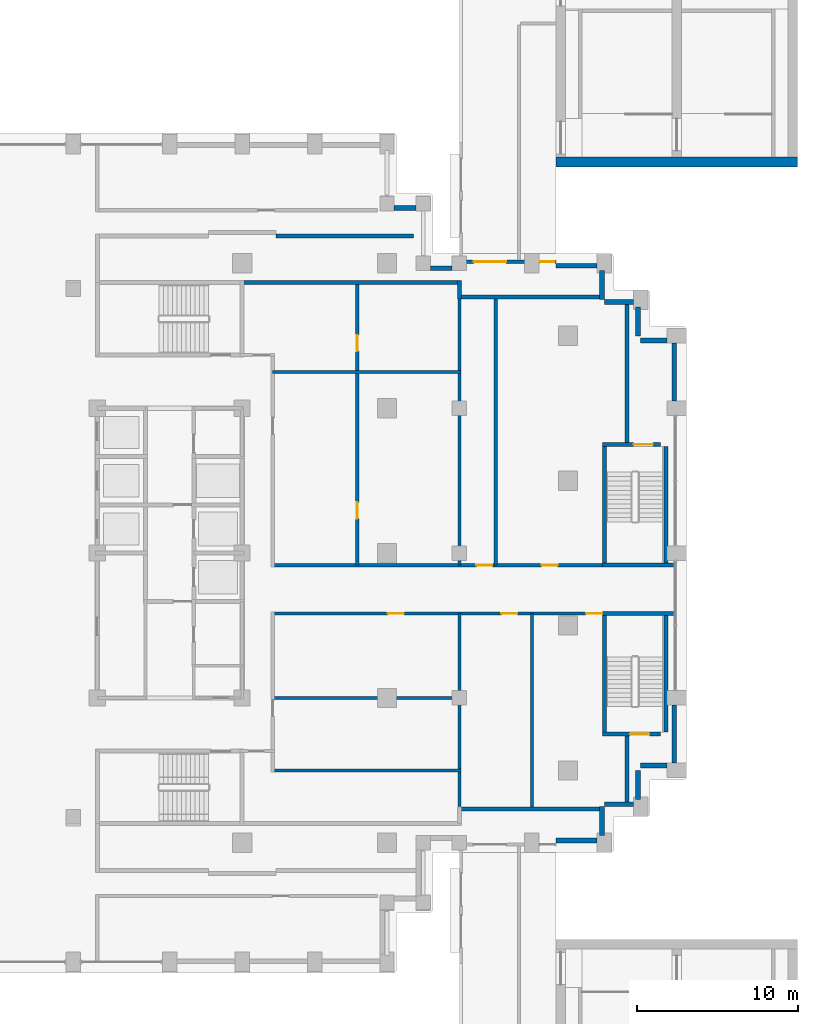
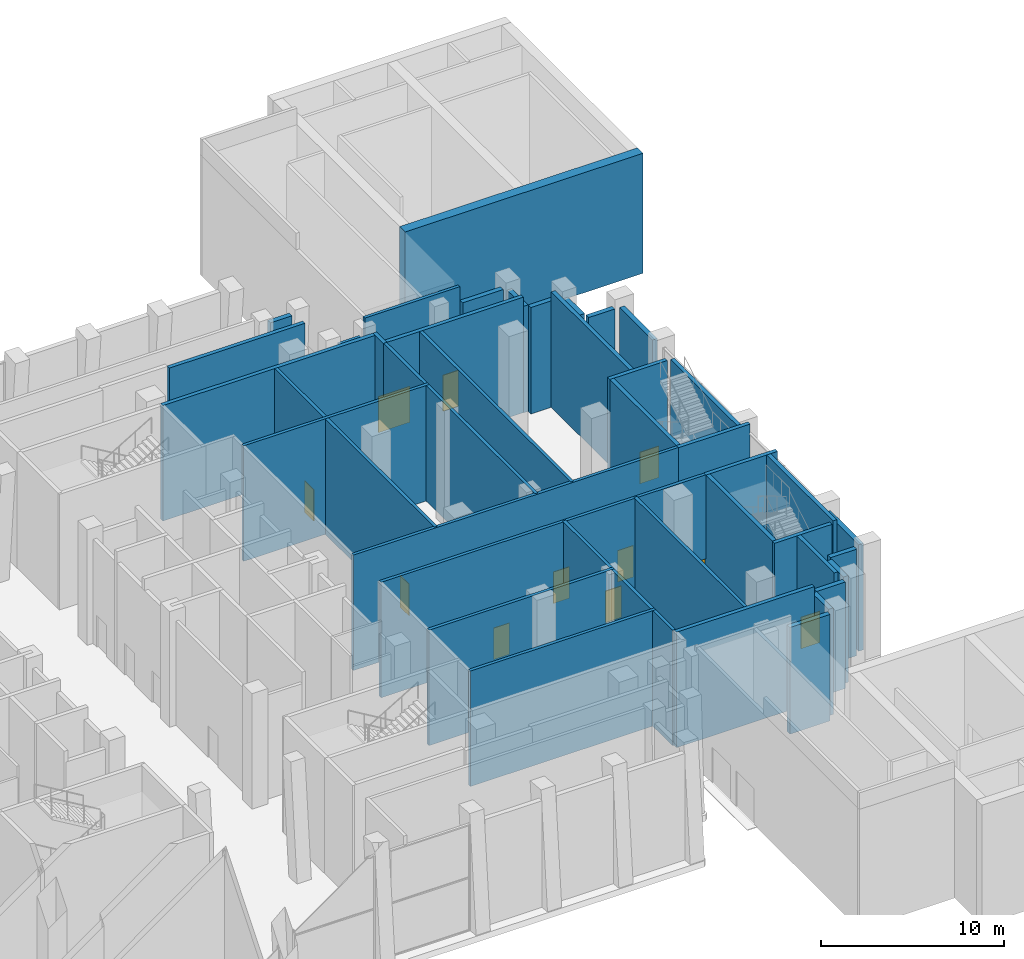
# One storey, part 15 of 24: 41 walls, 11 doors, 11 openings.
"""IFC4 building model written with IfcOpenShell, lengths in metres."""

import ifcopenshell
import ifcopenshell.guid

model = None  # the IFC model being written
_history = None  # IfcOwnerHistory: only IFC2X3 demands one
_inside = {}  # id of a spatial element -> (the spatial element, [elements in it])
_under = {}  # id of a project, library or spatial element -> (it, [spatial elements below it])
_declared = {}  # id of a project -> (the project, [libraries it declares])
_typed = {}  # id of a type object -> (the type object, [elements of that type])
_made_of = {}  # id of a material, layer set ... -> (it, [elements and type objects made of it])


def new_model(schema):
    """Start an empty IFC model of exactly this schema.

    Asked for "IFC4X3", IfcOpenShell would pick the latest addendum, in which some entities
    have other attributes; the version numbers below select the first issue.
    IFC2X3 requires an IfcOwnerHistory on every rooted entity: one is made here for all.
    """
    global model, _history
    if schema == "IFC4X3":
        model = ifcopenshell.file(schema_version=(4, 3, 0, 0))
    else:
        model = ifcopenshell.file(schema=schema)
    _inside.clear()
    _under.clear()
    _declared.clear()
    _typed.clear()
    _made_of.clear()
    _history = None
    if model.schema == "IFC2X3":
        org = make("IfcOrganization", Name="unknown")
        user = make(
            "IfcPersonAndOrganization",
            ThePerson=make("IfcPerson", FamilyName="unknown"),
            TheOrganization=org,
        )
        app = make(
            "IfcApplication",
            ApplicationDeveloper=org,
            Version="unknown",
            ApplicationFullName="unknown",
            ApplicationIdentifier="unknown",
        )
        _history = make(
            "IfcOwnerHistory",
            OwningUser=user,
            OwningApplication=app,
            ChangeAction="ADDED",
            CreationDate=0,
        )
    return model


def make(cls, **values):
    """One entity of the class cls with the attributes given. An attribute that is None is left unset."""
    return model.create_entity(
        cls, **{name: value for name, value in values.items() if value is not None}
    )


def rooted(cls, **values):
    """An entity with a GlobalId (a new one), such as an element, a storey or a relation."""
    return make(cls, GlobalId=ifcopenshell.guid.new(), OwnerHistory=_history, **values)


def si_unit(unit_type, name, prefix=None):
    """IfcSIUnit, for example si_unit("LENGTHUNIT", "METRE", prefix="MILLI")."""
    return make("IfcSIUnit", UnitType=unit_type, Prefix=prefix, Name=name)


def assignment(units):
    """IfcUnitAssignment: the units of a project."""
    return None if units is None else make("IfcUnitAssignment", Units=units)


def point(xyz):
    """IfcCartesianPoint."""
    return None if xyz is None else make("IfcCartesianPoint", Coordinates=xyz)


def direction(xyz):
    """IfcDirection."""
    return None if xyz is None else make("IfcDirection", DirectionRatios=xyz)


def frame(location, z_axis=None, x_axis=None):
    """IfcAxis2Placement3D, a coordinate frame: its origin and axes. An axis left out is left unset."""
    return make(
        "IfcAxis2Placement3D",
        Location=point(location),
        Axis=direction(z_axis),
        RefDirection=direction(x_axis),
    )


def frame_2d(location, x_axis=None):
    """IfcAxis2Placement2D, a coordinate frame in the plane: its origin and x axis."""
    return make(
        "IfcAxis2Placement2D", Location=point(location), RefDirection=direction(x_axis)
    )


def origin():
    """The frame at (0, 0, 0) with its axes left unset."""
    return frame((0.0, 0.0, 0.0))


def place(relative_to, where):
    """IfcLocalPlacement: puts the frame where relative to a parent placement (None: the world)."""
    return make(
        "IfcLocalPlacement", PlacementRelTo=relative_to, RelativePlacement=where
    )


def context(
    kind, dimensions, precision=None, world=None, true_north=None, identifier=None
):
    """IfcGeometricRepresentationContext, for example the 3D "Model" context."""
    return make(
        "IfcGeometricRepresentationContext",
        ContextIdentifier=identifier,
        ContextType=kind,
        CoordinateSpaceDimension=dimensions,
        Precision=precision,
        WorldCoordinateSystem=world,
        TrueNorth=true_north,
    )


def subcontext(parent, identifier, kind, view, scale=None):
    """IfcGeometricRepresentationSubContext, for example "Body" below "Model"."""
    return make(
        "IfcGeometricRepresentationSubContext",
        ContextIdentifier=identifier,
        ContextType=kind,
        ParentContext=parent,
        TargetScale=scale,
        TargetView=view,
    )


def project(units=None, contexts=None):
    """IfcProject with its units and contexts."""
    return rooted(
        "IfcProject",
        Name="project",
        RepresentationContexts=contexts,
        UnitsInContext=assignment(units),
    )


def spatial(cls, under=None, at=None, **own):
    """A site, building, storey or space (cls), placed at a placement, below another one or the project."""
    s = rooted(cls, ObjectPlacement=at, **own)
    if under is not None:
        _under.setdefault(under.id(), (under, []))[1].append(s)
    return s


def profile(cls, at=None, kind="AREA", **sizes):
    """A parametric profile (cls). Its sizes go by their IFC names, for example OverallWidth=200.0."""
    return make(cls, ProfileType=kind, Position=at, **sizes)


def rectangle(**sizes):
    """IfcRectangleProfileDef."""
    return profile("IfcRectangleProfileDef", **sizes)


def extrude(swept, where, along, depth):
    """IfcExtrudedAreaSolid: the profile swept, set in the frame where, extruded along a direction by depth."""
    return make(
        "IfcExtrudedAreaSolid",
        SweptArea=swept,
        Position=where,
        ExtrudedDirection=direction(along),
        Depth=depth,
    )


def shape(context_of_items, identifier, shape_type, items):
    """IfcShapeRepresentation: the items that make up one representation, for example the "Body"."""
    return make(
        "IfcShapeRepresentation",
        ContextOfItems=context_of_items,
        RepresentationIdentifier=identifier,
        RepresentationType=shape_type,
        Items=items,
    )


def material(Name=None, Category=None):
    """IfcMaterial."""
    return make("IfcMaterial", Name=Name, Category=Category)


def layer(
    of_material, thickness, ventilated=None, Name=None, Category=None, Priority=None
):
    """IfcMaterialLayer: one layer of a wall or slab, of a material (None: an air gap)."""
    return make(
        "IfcMaterialLayer",
        Material=of_material,
        LayerThickness=thickness,
        IsVentilated=ventilated,
        Name=Name,
        Category=Category,
        Priority=Priority,
    )


def layer_set(layers, Name=None):
    """IfcMaterialLayerSet."""
    return make("IfcMaterialLayerSet", MaterialLayers=layers, LayerSetName=Name)


def made_of(thing, what):
    """Note that an element or type object is made of a material, layer set ...; save() writes the relation."""
    if what is not None:
        _made_of.setdefault(what.id(), (what, []))[1].append(thing)
    return thing


def type_object(cls, material=None, **own):
    """A type object (cls), such as IfcWallType, which elements share."""
    return made_of(rooted(cls, **own), material)


def element(
    cls,
    number,
    at=None,
    inside=None,
    cuts=None,
    type_object=None,
    material=None,
    context=None,
    identifier="Body",
    shape_type=None,
    held_by="IfcProductDefinitionShape",
    body=None,
    shapes=None,
    **own,
):
    """One element of the class cls, such as IfcWall. Its Tag is "e" and its number.

    at: its placement. inside: the storey or other place that contains it. cuts: it is an
    opening in that element (IfcRelVoidsElement). A single representation is given by context,
    identifier, shape_type and body (its items); several are given by shapes. held_by: the class
    of the entity that holds the representations. save() writes the other relations.
    """
    e = rooted(cls, Tag="e%d" % number, ObjectPlacement=at, **own)
    if body is not None:
        shapes = [shape(context, identifier, shape_type, body)]
    if shapes is not None:
        e.Representation = make(held_by, Representations=shapes)
    if inside is not None:
        _inside.setdefault(inside.id(), (inside, []))[1].append(e)
    if cuts is not None:
        rooted(
            "IfcRelVoidsElement", RelatingBuildingElement=cuts, RelatedOpeningElement=e
        )
    if type_object is not None:
        _typed.setdefault(type_object.id(), (type_object, []))[1].append(e)
    return made_of(e, material)


def fill(opening, filler):
    """IfcRelFillsElement: the door or window that sits in an opening."""
    return rooted(
        "IfcRelFillsElement",
        RelatingOpeningElement=opening,
        RelatedBuildingElement=filler,
    )


def aggregate(whole, parts):
    """IfcRelAggregates: a whole, such as a stair, and the parts it consists of."""
    return rooted("IfcRelAggregates", RelatingObject=whole, RelatedObjects=parts)


def save(model, path):
    """Write the relations noted so far, then the file.

    IfcRelAggregates (storeys below a building ...), IfcRelContainedInSpatialStructure (elements
    in a storey), IfcRelDefinesByType, IfcRelAssociatesMaterial and IfcRelDeclares: one each for
    every whole, place, type object, material and project.
    """
    for whole, parts in _under.values():
        aggregate(whole, parts)
    for where, things in _inside.values():
        rooted(
            "IfcRelContainedInSpatialStructure",
            RelatedElements=things,
            RelatingStructure=where,
        )
    for kind, things in _typed.values():
        rooted("IfcRelDefinesByType", RelatedObjects=things, RelatingType=kind)
    for what, things in _made_of.values():
        rooted("IfcRelAssociatesMaterial", RelatedObjects=things, RelatingMaterial=what)
    for by, libraries in _declared.values():
        rooted("IfcRelDeclares", RelatingContext=by, RelatedDefinitions=libraries)
    model.write(path)


model = new_model("IFC4")

# Units and contexts
model_context = context("Model", 3, precision=1e-05, world=origin(), true_north=direction((0.0, 1.0)))
body_context = subcontext(model_context, "Body", "Model", "MODEL_VIEW")
ifc_project = project(units=[si_unit("LENGTHUNIT", "METRE"), si_unit("AREAUNIT", "SQUARE_METRE"), si_unit("VOLUMEUNIT", "CUBIC_METRE"), si_unit("PLANEANGLEUNIT", "RADIAN"), si_unit("MASSUNIT", "GRAM", prefix="KILO")], contexts=[model_context])

# Site, building, storey
site_placement = place(None, origin())
site = spatial("IfcSite", under=ifc_project, at=site_placement, CompositionType="ELEMENT")
building_placement = place(site_placement, origin())
building = spatial("IfcBuilding", under=site, at=building_placement, Name="Corbelhall Arena Tower", CompositionType="ELEMENT")
storey_placement = place(building_placement, frame((0.0, 0.0, 60.0)))
storey = spatial("IfcBuildingStorey", under=building, at=storey_placement, Name="L08", CompositionType="ELEMENT", Elevation=60.0)

# Wall
ifc_material_1 = material(Name="Concrete C80/95", Category="concrete")
ifc_layer_1 = layer(ifc_material_1, 0.60009765625)
ifc_layer_set_1 = layer_set([ifc_layer_1], Name="AR-CORE-WALL-L08")
wall_type_1 = type_object("IfcWallType", Name="AR-CORE-WALL-L08", PredefinedType="SHEAR", material=ifc_layer_set_1)
wall_1_placement = place(storey_placement, frame((33.0, 24.300048828125, 0.0), z_axis=(0.0, 0.0, 1.0), x_axis=(1.0, 0.0, 0.0)))
element("IfcWall", 1, at=wall_1_placement, inside=storey, type_object=wall_type_1, Name="Core NE wall", PredefinedType="SHEAR", context=body_context, shape_type="SweptSolid", body=[
    extrude(rectangle(XDim=15.0, YDim=0.60009765625, at=frame_2d((7.5, 0.0))), origin(), (0.0, 0.0, 1.0), 8.0),
])

# Wall, openings, doors
ifc_material_2 = material(Name="Reinforced concrete C40/50", Category="concrete")
ifc_layer_2 = layer(ifc_material_2, 0.199951171875)
ifc_layer_set_2 = layer_set([ifc_layer_2], Name="AR-LINK-WALL")
wall_type_2 = type_object("IfcWallType", Name="AR-LINK-WALL", PredefinedType="SOLIDWALL", material=ifc_layer_set_2)
wall_2_placement = place(storey_placement, frame((27.0, 18.10009765625, 0.0), z_axis=(0.0, 0.0, 1.0), x_axis=(1.0, 0.0, 0.0)))
wall_2 = element("IfcWall", 2, at=wall_2_placement, inside=storey, type_object=wall_type_2, Name="Gallery LK1 end wall", PredefinedType="SOLIDWALL", context=body_context, shape_type="SweptSolid", body=[
    extrude(rectangle(XDim=6.0, YDim=0.199951171875, at=frame_2d((3.0, 0.0))), origin(), (0.0, 0.0, 1.0), 8.0),
])
opening_1_placement = place(wall_2_placement, frame((0.89990234375, 0.0, 0.0)))
opening_1 = element("IfcOpeningElement", 3, at=opening_1_placement, cuts=wall_2, Name="Opening DA0293", PredefinedType="OPENING", context=body_context, shape_type="SweptSolid", body=[
    extrude(rectangle(XDim=2.0, YDim=2.39990234375, at=frame_2d((1.0, 1.199951171875))), frame((0.0, 0.10009765625, 0.0), z_axis=(0.0, -1.0, 0.0), x_axis=(1.0, 0.0, 0.0)), (0.0, 0.0, 1.0), 0.199951171875),
])
opening_2_placement = place(wall_2_placement, frame((4.97998046875, 0.0, 0.0)))
opening_2 = element("IfcOpeningElement", 4, at=opening_2_placement, cuts=wall_2, Name="Opening DA0294", PredefinedType="OPENING", context=body_context, shape_type="SweptSolid", body=[
    extrude(rectangle(XDim=0.949951171875, YDim=2.39990234375, at=frame_2d((0.47509765625, 1.199951171875))), frame((0.0, 0.10009765625, 0.0), z_axis=(0.0, -1.0, 0.0), x_axis=(1.0, 0.0, 0.0)), (0.0, 0.0, 1.0), 0.199951171875),
])
ifc_material_3 = material(Name="Steel and glass", Category="steel")
door_type_1 = type_object("IfcDoorType", Name="AR-EXIT-DOOR", OperationType="DOUBLE_DOOR_SINGLE_SWING", PredefinedType="DOOR", material=ifc_material_3)
door_1_placement = place(opening_1_placement, frame((2.0, 0.0, 0.0), z_axis=(0.0, 0.0, 1.0), x_axis=(-1.0, 0.0, 0.0)))
door_1 = element("IfcDoor", 5, at=door_1_placement, inside=storey, type_object=door_type_1, Name="Gallery LK1 public door", OperationType="DOUBLE_DOOR_SINGLE_SWING", OverallHeight=2.39990234375, OverallWidth=2.0, PredefinedType="DOOR", context=body_context, shape_type="SweptSolid", body=[
    extrude(rectangle(XDim=2.0, YDim=2.39990234375, at=frame_2d((1.0, 1.199951171875))), frame((0.0, 0.02490234375, 0.0), z_axis=(0.0, -1.0, 0.0), x_axis=(1.0, 0.0, 0.0)), (0.0, 0.0, 1.0), 0.050048828125),
])
fill(opening_1, door_1)
ifc_material_4 = material(Name="Steel door set", Category="steel")
door_type_2 = type_object("IfcDoorType", Name="AR-EXIT-DOOR-1", OperationType="SINGLE_SWING_LEFT", PredefinedType="DOOR", material=ifc_material_4)
door_2_placement = place(opening_2_placement, frame((0.949951171875, 0.0, 0.0), z_axis=(0.0, 0.0, 1.0), x_axis=(-1.0, 0.0, 0.0)))
door_2 = element("IfcDoor", 6, at=door_2_placement, inside=storey, type_object=door_type_2, Name="Gallery LK1 exit door", OperationType="SINGLE_SWING_LEFT", OverallHeight=2.39990234375, OverallWidth=0.949951171875, PredefinedType="DOOR", context=body_context, shape_type="SweptSolid", body=[
    extrude(rectangle(XDim=0.949951171875, YDim=2.39990234375, at=frame_2d((0.47509765625, 1.199951171875))), frame((0.0, 0.02490234375, 0.0), z_axis=(0.0, -1.0, 0.0), x_axis=(1.0, 0.0, 0.0)), (0.0, 0.0, 1.0), 0.050048828125),
])
fill(opening_2, door_2)

# Walls
ifc_material_5 = material(Name="Precast concrete C40/50 with granite facing", Category="masonry")
ifc_layer_3 = layer(ifc_material_5, 0.300048828125)
ifc_layer_set_3 = layer_set([ifc_layer_3], Name="EV-IW1 Infill panel 300")
wall_type_3 = type_object("IfcWallType", Name="EV-IW1 Infill panel 300", PredefinedType="SOLIDWALL", material=ifc_layer_set_3)
for number, where, z_axis, x_axis, name in (
    (7, (35.85009765625, -17.550048828125, 0.0), (0.0, 0.0, 1.0), (0.0, 1.0, 0.0), "Infill panel IW1"),
    (8, (37.800048828125, -15.60009765625, 0.0), (0.0, 0.0, 1.0), (-1.0, 0.0, 0.0), "Infill panel IW1"),
    (9, (38.10009765625, -15.300048828125, 0.0), (0.0, 0.0, 1.0), (0.0, 1.0, 0.0), "Infill panel IW1"),
):
    element("IfcWall", number, at=place(storey_placement, frame(where, z_axis=z_axis, x_axis=x_axis)), inside=storey, type_object=wall_type_3, Name=name, PredefinedType="SOLIDWALL", context=body_context, shape_type="SweptSolid", body=[
        extrude(rectangle(XDim=1.800048828125, YDim=0.300048828125, at=frame_2d((0.89990234375, 0.0))), origin(), (0.0, 0.0, 1.0), 7.10009765625),
    ])
for number, where, z_axis, x_axis, name in (
    (10, (39.89990234375, -13.199951171875, 0.0), (0.0, 0.0, 1.0), (-1.0, 0.0, 0.0), "Infill panel IW1"),
    (11, (39.89990234375, 13.199951171875, 0.0), (0.0, 0.0, 1.0), (-1.0, 0.0, 0.0), "Infill panel IW1"),
):
    element("IfcWall", number, at=place(storey_placement, frame(where, z_axis=z_axis, x_axis=x_axis)), inside=storey, type_object=wall_type_3, Name=name, PredefinedType="SOLIDWALL", context=body_context, shape_type="SweptSolid", body=[
        extrude(rectangle(XDim=1.64990234375, YDim=0.300048828125, at=frame_2d((0.824951171875, 0.0))), origin(), (0.0, 0.0, 1.0), 7.10009765625),
    ])
for number, where, z_axis, x_axis, name in (
    (12, (38.10009765625, 15.300048828125, 0.0), (0.0, 0.0, 1.0), (0.0, -1.0, 0.0), "Infill panel IW1"),
    (13, (37.800048828125, 15.60009765625, 0.0), (0.0, 0.0, 1.0), (-1.0, 0.0, 0.0), "Infill panel IW1"),
    (14, (35.85009765625, 17.550048828125, 0.0), (0.0, 0.0, 1.0), (0.0, -1.0, 0.0), "Infill panel IW1"),
):
    element("IfcWall", number, at=place(storey_placement, frame(where, z_axis=z_axis, x_axis=x_axis)), inside=storey, type_object=wall_type_3, Name=name, PredefinedType="SOLIDWALL", context=body_context, shape_type="SweptSolid", body=[
        extrude(rectangle(XDim=1.800048828125, YDim=0.300048828125, at=frame_2d((0.89990234375, 0.0))), origin(), (0.0, 0.0, 1.0), 7.10009765625),
    ])
wall_3_placement = place(storey_placement, frame((33.0, -17.85009765625, 0.0), z_axis=(0.0, 0.0, 1.0), x_axis=(1.0, 0.0, 0.0)))
element("IfcWall", 15, at=wall_3_placement, inside=storey, type_object=wall_type_3, Name="Infill panel IW1", PredefinedType="SOLIDWALL", context=body_context, shape_type="SweptSolid", body=[
    extrude(rectangle(XDim=2.550048828125, YDim=0.300048828125, at=frame_2d((1.27490234375, 0.0))), origin(), (0.0, 0.0, 1.0), 7.10009765625),
])
for number, where, z_axis, x_axis, name in (
    (16, (40.35009765625, -13.050048828125, 0.0), (0.0, 0.0, 1.0), (0.0, 1.0, 0.0), "Infill panel IW1"),
    (17, (40.35009765625, 9.449951171875, 0.0), (0.0, 0.0, 1.0), (0.0, 1.0, 0.0), "Infill panel IW1"),
):
    element("IfcWall", number, at=place(storey_placement, frame(where, z_axis=z_axis, x_axis=x_axis)), inside=storey, type_object=wall_type_3, Name=name, PredefinedType="SOLIDWALL", context=body_context, shape_type="SweptSolid", body=[
        extrude(rectangle(XDim=3.60009765625, YDim=0.300048828125, at=frame_2d((1.800048828125, 0.0))), origin(), (0.0, 0.0, 1.0), 7.10009765625),
    ])
wall_4_placement = place(storey_placement, frame((35.550048828125, 17.85009765625, 0.0), z_axis=(0.0, 0.0, 1.0), x_axis=(-1.0, 0.0, 0.0)))
element("IfcWall", 18, at=wall_4_placement, inside=storey, type_object=wall_type_3, Name="Infill panel IW1", PredefinedType="SOLIDWALL", context=body_context, shape_type="SweptSolid", body=[
    extrude(rectangle(XDim=2.550048828125, YDim=0.300048828125, at=frame_2d((1.27490234375, 0.0))), origin(), (0.0, 0.0, 1.0), 7.10009765625),
])
for number, where, z_axis, x_axis, name in (
    (19, (26.550048828125, 17.699951171875, 0.0), (0.0, 0.0, 1.0), (-1.0, 0.0, 0.0), "Infill panel IW1"),
    (20, (24.300048828125, 21.449951171875, 0.0), (0.0, 0.0, 1.0), (-1.0, 0.0, 0.0), "Infill panel IW1"),
):
    element("IfcWall", number, at=place(storey_placement, frame(where, z_axis=z_axis, x_axis=x_axis)), inside=storey, type_object=wall_type_3, Name=name, PredefinedType="SOLIDWALL", context=body_context, shape_type="SweptSolid", body=[
        extrude(rectangle(XDim=1.35009765625, YDim=0.300048828125, at=frame_2d((0.675048828125, 0.0))), origin(), (0.0, 0.0, 1.0), 7.10009765625),
    ])
ifc_material_6 = material(Name="Gypsum board on steel stud, acoustic", Category="steel")
ifc_layer_4 = layer(ifc_material_6, 0.199951171875)
ifc_layer_set_4 = layer_set([ifc_layer_4], Name="IN-W-DM200")
wall_type_4 = type_object("IfcWallType", Name="IN-W-DM200", PredefinedType="PARTITIONING", material=ifc_layer_set_4)
for number, where, z_axis, x_axis, name in (
    (21, (15.39990234375, -13.5, 0.0), (0.0, 0.0, 1.0), (1.0, 0.0, 0.0), "Partition 022"),
    (22, (15.39990234375, -9.0, 0.0), (0.0, 0.0, 1.0), (1.0, 0.0, 0.0), "Partition 024"),
):
    element("IfcWall", number, at=place(storey_placement, frame(where, z_axis=z_axis, x_axis=x_axis)), inside=storey, type_object=wall_type_4, Name=name, PredefinedType="PARTITIONING", context=body_context, shape_type="SweptSolid", body=[
        extrude(rectangle(XDim=11.7001953125, YDim=0.199951171875, at=frame_2d((5.85009765625, 0.0))), origin(), (0.0, 0.0, 1.0), 7.699951171875),
    ])

# Wall, openings, doors
wall_5_placement = place(storey_placement, frame((15.39990234375, -0.75, 0.0), z_axis=(0.0, 0.0, 1.0), x_axis=(1.0, 0.0, 0.0)))
wall_5 = element("IfcWall", 23, at=wall_5_placement, inside=storey, type_object=wall_type_4, Name="Partition 025", PredefinedType="PARTITIONING", context=body_context, shape_type="SweptSolid", body=[
    extrude(rectangle(XDim=20.72509765625, YDim=0.199951171875, at=frame_2d((10.362548828125, 0.0))), origin(), (0.0, 0.0, 1.0), 7.699951171875),
])
opening_3_placement = place(wall_5_placement, frame((12.64990234375, 0.0, 0.0)))
opening_3 = element("IfcOpeningElement", 24, at=opening_3_placement, cuts=wall_5, Name="Opening 25039", PredefinedType="OPENING", context=body_context, shape_type="SweptSolid", body=[
    extrude(rectangle(XDim=1.0, YDim=2.10009765625, at=frame_2d((0.5, 1.050048828125))), frame((0.0, 0.10009765625, 0.0), z_axis=(0.0, -1.0, 0.0), x_axis=(1.0, 0.0, 0.0)), (0.0, 0.0, 1.0), 0.199951171875),
])
opening_4_placement = place(wall_5_placement, frame((16.699951171875, 0.0, 0.0)))
opening_4 = element("IfcOpeningElement", 25, at=opening_4_placement, cuts=wall_5, Name="Opening 25040", PredefinedType="OPENING", context=body_context, shape_type="SweptSolid", body=[
    extrude(rectangle(XDim=1.0, YDim=2.10009765625, at=frame_2d((0.5, 1.050048828125))), frame((0.0, 0.10009765625, 0.0), z_axis=(0.0, -1.0, 0.0), x_axis=(1.0, 0.0, 0.0)), (0.0, 0.0, 1.0), 0.199951171875),
])
door_type_3 = type_object("IfcDoorType", Name="IN-D-SW100", OperationType="NOTDEFINED", PredefinedType="DOOR", material=ifc_material_4)
door_3_placement = place(opening_3_placement, origin())
door_3 = element("IfcDoor", 26, at=door_3_placement, inside=storey, type_object=door_type_3, Name="Door 039", OperationType="SINGLE_SWING_RIGHT", OverallHeight=2.10009765625, OverallWidth=1.0, PredefinedType="DOOR", context=body_context, shape_type="SweptSolid", body=[
    extrude(rectangle(XDim=1.0, YDim=2.10009765625, at=frame_2d((0.5, 1.050048828125))), frame((0.0, 0.02490234375, 0.0), z_axis=(0.0, -1.0, 0.0), x_axis=(1.0, 0.0, 0.0)), (0.0, 0.0, 1.0), 0.050048828125),
])
fill(opening_3, door_3)
door_4_placement = place(opening_4_placement, origin())
door_4 = element("IfcDoor", 27, at=door_4_placement, inside=storey, type_object=door_type_3, Name="Door 040", OperationType="SINGLE_SWING_LEFT", OverallHeight=2.10009765625, OverallWidth=1.0, PredefinedType="DOOR", context=body_context, shape_type="SweptSolid", body=[
    extrude(rectangle(XDim=1.0, YDim=2.10009765625, at=frame_2d((0.5, 1.050048828125))), frame((0.0, 0.02490234375, 0.0), z_axis=(0.0, -1.0, 0.0), x_axis=(1.0, 0.0, 0.0)), (0.0, 0.0, 1.0), 0.050048828125),
])
fill(opening_4, door_4)

# Wall
wall_6_placement = place(storey_placement, frame((15.39990234375, 11.25, 0.0), z_axis=(0.0, 0.0, 1.0), x_axis=(1.0, 0.0, 0.0)))
element("IfcWall", 28, at=wall_6_placement, inside=storey, type_object=wall_type_4, Name="Partition 026", PredefinedType="PARTITIONING", context=body_context, shape_type="SweptSolid", body=[
    extrude(rectangle(XDim=11.7001953125, YDim=0.199951171875, at=frame_2d((5.85009765625, 0.0))), origin(), (0.0, 0.0, 1.0), 7.699951171875),
])

# Wall, openings, doors
wall_7_placement = place(storey_placement, frame((20.64990234375, 16.800048828125, 0.0), z_axis=(0.0, 0.0, 1.0), x_axis=(0.0, -1.0, 0.0)))
wall_7 = element("IfcWall", 29, at=wall_7_placement, inside=storey, type_object=wall_type_4, Name="Partition 029", PredefinedType="PARTITIONING", context=body_context, shape_type="SweptSolid", body=[
    extrude(rectangle(XDim=17.550048828125, YDim=0.199951171875, at=frame_2d((8.77490234375, 0.0))), origin(), (0.0, 0.0, 1.0), 7.699951171875),
])
opening_5_placement = place(wall_7_placement, frame((13.64990234375, 0.0, 0.0)))
opening_5 = element("IfcOpeningElement", 30, at=opening_5_placement, cuts=wall_7, Name="Opening 25031", PredefinedType="OPENING", context=body_context, shape_type="SweptSolid", body=[
    extrude(rectangle(XDim=1.0, YDim=2.10009765625, at=frame_2d((0.5, 1.050048828125))), frame((0.0, 0.10009765625, 0.0), z_axis=(0.0, -1.0, 0.0), x_axis=(1.0, 0.0, 0.0)), (0.0, 0.0, 1.0), 0.199951171875),
])
opening_6_placement = place(wall_7_placement, frame((3.25, 0.0, 0.0)))
opening_6 = element("IfcOpeningElement", 31, at=opening_6_placement, cuts=wall_7, Name="Opening 25033", PredefinedType="OPENING", context=body_context, shape_type="SweptSolid", body=[
    extrude(rectangle(XDim=1.0, YDim=2.10009765625, at=frame_2d((0.5, 1.050048828125))), frame((0.0, 0.10009765625, 0.0), z_axis=(0.0, -1.0, 0.0), x_axis=(1.0, 0.0, 0.0)), (0.0, 0.0, 1.0), 0.199951171875),
])
door_5_placement = place(opening_5_placement, origin())
door_5 = element("IfcDoor", 32, at=door_5_placement, inside=storey, type_object=door_type_3, Name="Door 031", OperationType="SINGLE_SWING_RIGHT", OverallHeight=2.10009765625, OverallWidth=1.0, PredefinedType="DOOR", context=body_context, shape_type="SweptSolid", body=[
    extrude(rectangle(XDim=1.0, YDim=2.10009765625, at=frame_2d((0.5, 1.050048828125))), frame((0.0, 0.02490234375, 0.0), z_axis=(0.0, -1.0, 0.0), x_axis=(1.0, 0.0, 0.0)), (0.0, 0.0, 1.0), 0.050048828125),
])
fill(opening_5, door_5)
door_6_placement = place(opening_6_placement, origin())
door_6 = element("IfcDoor", 33, at=door_6_placement, inside=storey, type_object=door_type_3, Name="Door 033", OperationType="SINGLE_SWING_RIGHT", OverallHeight=2.10009765625, OverallWidth=1.0, PredefinedType="DOOR", context=body_context, shape_type="SweptSolid", body=[
    extrude(rectangle(XDim=1.0, YDim=2.10009765625, at=frame_2d((0.5, 1.050048828125))), frame((0.0, 0.02490234375, 0.0), z_axis=(0.0, -1.0, 0.0), x_axis=(1.0, 0.0, 0.0)), (0.0, 0.0, 1.0), 0.050048828125),
])
fill(opening_6, door_6)

# Walls
wall_8_placement = place(storey_placement, frame((27.0, -3.75, 0.0), z_axis=(0.0, 0.0, 1.0), x_axis=(0.0, -1.0, 0.0)))
element("IfcWall", 34, at=wall_8_placement, inside=storey, type_object=wall_type_4, Name="Partition 031", PredefinedType="PARTITIONING", context=body_context, shape_type="SweptSolid", body=[
    extrude(rectangle(XDim=12.0, YDim=0.199951171875, at=frame_2d((6.0, 0.0))), origin(), (0.0, 0.0, 1.0), 7.699951171875),
])
wall_9_placement = place(storey_placement, frame((27.0, 15.89990234375, 0.0), z_axis=(0.0, 0.0, 1.0), x_axis=(0.0, -1.0, 0.0)))
element("IfcWall", 35, at=wall_9_placement, inside=storey, type_object=wall_type_4, Name="Partition 032", PredefinedType="PARTITIONING", context=body_context, shape_type="SweptSolid", body=[
    extrude(rectangle(XDim=16.64990234375, YDim=0.199951171875, at=frame_2d((8.324951171875, 0.0))), origin(), (0.0, 0.0, 1.0), 7.699951171875),
])

# Wall, openings, doors
wall_10_placement = place(storey_placement, frame((36.125, -3.75, 0.0), z_axis=(0.0, 0.0, 1.0), x_axis=(-1.0, 0.0, 0.0)))
wall_10 = element("IfcWall", 36, at=wall_10_placement, inside=storey, type_object=wall_type_4, Name="Partition 033", PredefinedType="PARTITIONING", context=body_context, shape_type="SweptSolid", body=[
    extrude(rectangle(XDim=20.72509765625, YDim=0.199951171875, at=frame_2d((10.362548828125, 0.0))), origin(), (0.0, 0.0, 1.0), 7.699951171875),
])
opening_7_placement = place(wall_10_placement, frame((12.574951171875, 0.0, 0.0)))
opening_7 = element("IfcOpeningElement", 37, at=opening_7_placement, cuts=wall_10, Name="Opening 25035", PredefinedType="OPENING", context=body_context, shape_type="SweptSolid", body=[
    extrude(rectangle(XDim=1.0, YDim=2.10009765625, at=frame_2d((0.5, 1.050048828125))), frame((0.0, 0.10009765625, 0.0), z_axis=(0.0, -1.0, 0.0), x_axis=(1.0, 0.0, 0.0)), (0.0, 0.0, 1.0), 0.199951171875),
])
opening_8_placement = place(wall_10_placement, frame((5.52490234375, 0.0, 0.0)))
opening_8 = element("IfcOpeningElement", 38, at=opening_8_placement, cuts=wall_10, Name="Opening 25041", PredefinedType="OPENING", context=body_context, shape_type="SweptSolid", body=[
    extrude(rectangle(XDim=1.0, YDim=2.10009765625, at=frame_2d((0.5, 1.050048828125))), frame((0.0, 0.10009765625, 0.0), z_axis=(0.0, -1.0, 0.0), x_axis=(1.0, 0.0, 0.0)), (0.0, 0.0, 1.0), 0.199951171875),
])
opening_9_placement = place(wall_10_placement, frame((0.25, 0.0, 0.0)))
opening_9 = element("IfcOpeningElement", 39, at=opening_9_placement, cuts=wall_10, Name="Opening 25042", PredefinedType="OPENING", context=body_context, shape_type="SweptSolid", body=[
    extrude(rectangle(XDim=1.0, YDim=2.10009765625, at=frame_2d((0.5, 1.050048828125))), frame((0.0, 0.10009765625, 0.0), z_axis=(0.0, -1.0, 0.0), x_axis=(1.0, 0.0, 0.0)), (0.0, 0.0, 1.0), 0.199951171875),
])
door_7_placement = place(opening_7_placement, origin())
door_7 = element("IfcDoor", 40, at=door_7_placement, inside=storey, type_object=door_type_3, Name="Door 035", OperationType="SINGLE_SWING_RIGHT", OverallHeight=2.10009765625, OverallWidth=1.0, PredefinedType="DOOR", context=body_context, shape_type="SweptSolid", body=[
    extrude(rectangle(XDim=1.0, YDim=2.10009765625, at=frame_2d((0.5, 1.050048828125))), frame((0.0, 0.02490234375, 0.0), z_axis=(0.0, -1.0, 0.0), x_axis=(1.0, 0.0, 0.0)), (0.0, 0.0, 1.0), 0.050048828125),
])
fill(opening_7, door_7)
door_8_placement = place(opening_8_placement, origin())
door_8 = element("IfcDoor", 41, at=door_8_placement, inside=storey, type_object=door_type_3, Name="Door 041", OperationType="SINGLE_SWING_RIGHT", OverallHeight=2.10009765625, OverallWidth=1.0, PredefinedType="DOOR", context=body_context, shape_type="SweptSolid", body=[
    extrude(rectangle(XDim=1.0, YDim=2.10009765625, at=frame_2d((0.5, 1.050048828125))), frame((0.0, 0.02490234375, 0.0), z_axis=(0.0, -1.0, 0.0), x_axis=(1.0, 0.0, 0.0)), (0.0, 0.0, 1.0), 0.050048828125),
])
fill(opening_8, door_8)
door_9_placement = place(opening_9_placement, origin())
door_9 = element("IfcDoor", 42, at=door_9_placement, inside=storey, type_object=door_type_3, Name="Door 042", OperationType="SINGLE_SWING_LEFT", OverallHeight=2.10009765625, OverallWidth=1.0, PredefinedType="DOOR", context=body_context, shape_type="SweptSolid", body=[
    extrude(rectangle(XDim=1.0, YDim=2.10009765625, at=frame_2d((0.5, 1.050048828125))), frame((0.0, 0.02490234375, 0.0), z_axis=(0.0, -1.0, 0.0), x_axis=(1.0, 0.0, 0.0)), (0.0, 0.0, 1.0), 0.050048828125),
])
fill(opening_9, door_9)

# Walls
wall_11_placement = place(storey_placement, frame((29.25, 15.89990234375, 0.0), z_axis=(0.0, 0.0, 1.0), x_axis=(0.0, -1.0, 0.0)))
element("IfcWall", 43, at=wall_11_placement, inside=storey, type_object=wall_type_4, Name="Partition 034", PredefinedType="PARTITIONING", context=body_context, shape_type="SweptSolid", body=[
    extrude(rectangle(XDim=16.64990234375, YDim=0.199951171875, at=frame_2d((8.324951171875, 0.0))), origin(), (0.0, 0.0, 1.0), 7.699951171875),
])
wall_12_placement = place(storey_placement, frame((31.5, -3.75, 0.0), z_axis=(0.0, 0.0, 1.0), x_axis=(0.0, -1.0, 0.0)))
element("IfcWall", 44, at=wall_12_placement, inside=storey, type_object=wall_type_4, Name="Partition 035", PredefinedType="PARTITIONING", context=body_context, shape_type="SweptSolid", body=[
    extrude(rectangle(XDim=12.14990234375, YDim=0.199951171875, at=frame_2d((6.074951171875, 0.0))), origin(), (0.0, 0.0, 1.0), 7.699951171875),
])
ifc_material_7 = material(Name="Concrete C40/50", Category="concrete")
ifc_layer_5 = layer(ifc_material_7, 0.25)
ifc_layer_set_5 = layer_set([ifc_layer_5], Name="IN-W-SH250")
wall_type_5 = type_object("IfcWallType", Name="IN-W-SH250", PredefinedType="SOLIDWALL", material=ifc_layer_set_5)
wall_13_placement = place(storey_placement, frame((27.0, 16.800048828125, 0.0), z_axis=(0.0, 0.0, 1.0), x_axis=(-1.0, 0.0, 0.0)))
element("IfcWall", 45, at=wall_13_placement, inside=storey, type_object=wall_type_5, Name="Shaft wall 085", PredefinedType="SOLIDWALL", context=body_context, shape_type="SweptSolid", body=[
    extrude(rectangle(XDim=13.5, YDim=0.25, at=frame_2d((6.75, 0.0))), origin(), (0.0, 0.0, 1.0), 7.699951171875),
])
wall_14_placement = place(storey_placement, frame((15.60009765625, 19.7099609375, 0.0), z_axis=(0.0, 0.0, 1.0), x_axis=(1.0, 0.0, 0.0)))
element("IfcWall", 46, at=wall_14_placement, inside=storey, type_object=wall_type_5, Name="Shaft wall 087", PredefinedType="SOLIDWALL", context=body_context, shape_type="SweptSolid", body=[
    extrude(rectangle(XDim=8.5498046875, YDim=0.25, at=frame_2d((4.27490234375, 0.0))), origin(), (0.0, 0.0, 1.0), 7.699951171875),
])
wall_15_placement = place(storey_placement, frame((27.0, -15.89990234375, 0.0), z_axis=(0.0, 0.0, 1.0), x_axis=(1.0, 0.0, 0.0)))
element("IfcWall", 47, at=wall_15_placement, inside=storey, type_object=wall_type_5, Name="Shaft wall 090", PredefinedType="SOLIDWALL", context=body_context, shape_type="SweptSolid", body=[
    extrude(rectangle(XDim=8.699951171875, YDim=0.25, at=frame_2d((4.35009765625, 0.0))), origin(), (0.0, 0.0, 1.0), 7.699951171875),
])
wall_16_placement = place(storey_placement, frame((27.0, 15.77490234375, 0.0), z_axis=(0.0, 0.0, 1.0), x_axis=(0.0, 1.0, 0.0)))
element("IfcWall", 48, at=wall_16_placement, inside=storey, type_object=wall_type_5, Name="Shaft wall 091", PredefinedType="SOLIDWALL", context=body_context, shape_type="SweptSolid", body=[
    extrude(rectangle(XDim=1.150146484375, YDim=0.25, at=frame_2d((0.5751953125, 0.0))), origin(), (0.0, 0.0, 1.0), 7.699951171875),
])
wall_17_placement = place(storey_placement, frame((35.699951171875, 15.89990234375, 0.0), z_axis=(0.0, 0.0, 1.0), x_axis=(-1.0, 0.0, 0.0)))
element("IfcWall", 49, at=wall_17_placement, inside=storey, type_object=wall_type_5, Name="Shaft wall 092", PredefinedType="SOLIDWALL", context=body_context, shape_type="SweptSolid", body=[
    extrude(rectangle(XDim=8.800048828125, YDim=0.25, at=frame_2d((4.39990234375, 0.0))), origin(), (0.0, 0.0, 1.0), 7.699951171875),
])
wall_18_placement = place(storey_placement, frame((37.39990234375, -15.449951171875, 0.0), z_axis=(0.0, 0.0, 1.0), x_axis=(0.0, 1.0, 0.0)))
element("IfcWall", 50, at=wall_18_placement, inside=storey, type_object=wall_type_5, Name="Shaft wall 093", PredefinedType="SOLIDWALL", context=body_context, shape_type="SweptSolid", body=[
    extrude(rectangle(XDim=4.199951171875, YDim=0.25, at=frame_2d((2.10009765625, 0.0))), origin(), (0.0, 0.0, 1.0), 7.699951171875),
])
wall_19_placement = place(storey_placement, frame((37.39990234375, 6.75, 0.0), z_axis=(0.0, 0.0, 1.0), x_axis=(0.0, 1.0, 0.0)))
element("IfcWall", 51, at=wall_19_placement, inside=storey, type_object=wall_type_5, Name="Shaft wall 094", PredefinedType="SOLIDWALL", context=body_context, shape_type="SweptSolid", body=[
    extrude(rectangle(XDim=8.699951171875, YDim=0.25, at=frame_2d((4.35009765625, 0.0))), origin(), (0.0, 0.0, 1.0), 7.699951171875),
])
ifc_layer_6 = layer(ifc_material_7, 0.25)
ifc_layer_set_6 = layer_set([ifc_layer_6], Name="IN-W-ST250")
wall_type_6 = type_object("IfcWallType", Name="IN-W-ST250", PredefinedType="SOLIDWALL", material=ifc_layer_set_6)
wall_20_placement = place(storey_placement, frame((35.875, -0.75, 0.0), z_axis=(0.0, 0.0, 1.0), x_axis=(1.0, 0.0, 0.0)))
element("IfcWall", 52, at=wall_20_placement, inside=storey, type_object=wall_type_6, Name="Shaft wall 117", PredefinedType="SOLIDWALL", context=body_context, shape_type="SweptSolid", body=[
    extrude(rectangle(XDim=4.510986328125, YDim=0.25, at=frame_2d((2.25537109375, 0.0))), origin(), (0.0, 0.0, 1.0), 7.699951171875),
])

# Wall, opening, door
wall_21_placement = place(storey_placement, frame((35.875, 6.75, 0.0), z_axis=(0.0, 0.0, 1.0), x_axis=(1.0, 0.0, 0.0)))
wall_21 = element("IfcWall", 53, at=wall_21_placement, inside=storey, type_object=wall_type_6, Name="Shaft wall 118", PredefinedType="SOLIDWALL", context=body_context, shape_type="SweptSolid", body=[
    extrude(rectangle(XDim=3.625, YDim=0.25, at=frame_2d((1.8125, 0.0))), origin(), (0.0, 0.0, 1.0), 7.699951171875),
])
opening_10_placement = place(wall_21_placement, frame((1.949951171875, 0.0, 0.0)))
opening_10 = element("IfcOpeningElement", 54, at=opening_10_placement, cuts=wall_21, Name="Opening 25019", PredefinedType="OPENING", context=body_context, shape_type="SweptSolid", body=[
    extrude(rectangle(XDim=1.199951171875, YDim=2.10009765625, at=frame_2d((0.60009765625, 1.050048828125))), frame((0.0, 0.125, 0.0), z_axis=(0.0, -1.0, 0.0), x_axis=(1.0, 0.0, 0.0)), (0.0, 0.0, 1.0), 0.25),
])
door_type_4 = type_object("IfcDoorType", Name="IN-D-ST120", OperationType="NOTDEFINED", PredefinedType="DOOR", material=ifc_material_4)
door_10_placement = place(opening_10_placement, origin())
door_10 = element("IfcDoor", 55, at=door_10_placement, inside=storey, type_object=door_type_4, Name="Door 019", OperationType="SINGLE_SWING_RIGHT", OverallHeight=2.10009765625, OverallWidth=1.199951171875, PredefinedType="DOOR", context=body_context, shape_type="SweptSolid", body=[
    extrude(rectangle(XDim=1.199951171875, YDim=2.10009765625, at=frame_2d((0.60009765625, 1.050048828125))), frame((0.0, 0.02490234375, 0.0), z_axis=(0.0, -1.0, 0.0), x_axis=(1.0, 0.0, 0.0)), (0.0, 0.0, 1.0), 0.050048828125),
])
fill(opening_10, door_10)

# Walls
for number, where, z_axis, x_axis, name in (
    (56, (36.0, -11.25, 0.0), (0.0, 0.0, 1.0), (0.0, 1.0, 0.0), "Shaft wall 119"),
    (57, (36.0, -0.75, 0.0), (0.0, 0.0, 1.0), (0.0, 1.0, 0.0), "Shaft wall 120"),
):
    element("IfcWall", number, at=place(storey_placement, frame(where, z_axis=z_axis, x_axis=x_axis)), inside=storey, type_object=wall_type_6, Name=name, PredefinedType="SOLIDWALL", context=body_context, shape_type="SweptSolid", body=[
        extrude(rectangle(XDim=7.5, YDim=0.25, at=frame_2d((3.75, 0.0))), origin(), (0.0, 0.0, 1.0), 7.699951171875),
    ])

# Wall, opening, door
wall_22_placement = place(storey_placement, frame((39.5, -11.25, 0.0), z_axis=(0.0, 0.0, 1.0), x_axis=(-1.0, 0.0, 0.0)))
wall_22 = element("IfcWall", 58, at=wall_22_placement, inside=storey, type_object=wall_type_6, Name="Shaft wall 121", PredefinedType="SOLIDWALL", context=body_context, shape_type="SweptSolid", body=[
    extrude(rectangle(XDim=3.625, YDim=0.25, at=frame_2d((1.8125, 0.0))), origin(), (0.0, 0.0, 1.0), 7.699951171875),
])
opening_11_placement = place(wall_22_placement, frame((0.699951171875, 0.0, 0.0)))
opening_11 = element("IfcOpeningElement", 59, at=opening_11_placement, cuts=wall_22, Name="Opening 25018", PredefinedType="OPENING", context=body_context, shape_type="SweptSolid", body=[
    extrude(rectangle(XDim=1.199951171875, YDim=2.10009765625, at=frame_2d((0.60009765625, 1.050048828125))), frame((0.0, 0.125, 0.0), z_axis=(0.0, -1.0, 0.0), x_axis=(1.0, 0.0, 0.0)), (0.0, 0.0, 1.0), 0.25),
])
door_11_placement = place(opening_11_placement, origin())
door_11 = element("IfcDoor", 60, at=door_11_placement, inside=storey, type_object=door_type_4, Name="Door 018", OperationType="SINGLE_SWING_LEFT", OverallHeight=2.10009765625, OverallWidth=1.199951171875, PredefinedType="DOOR", context=body_context, shape_type="SweptSolid", body=[
    extrude(rectangle(XDim=1.199951171875, YDim=2.10009765625, at=frame_2d((0.60009765625, 1.050048828125))), frame((0.0, 0.02490234375, 0.0), z_axis=(0.0, -1.0, 0.0), x_axis=(1.0, 0.0, 0.0)), (0.0, 0.0, 1.0), 0.050048828125),
])
fill(opening_11, door_11)

# Walls
wall_23_placement = place(storey_placement, frame((40.385986328125, -3.75, 0.0), z_axis=(0.0, 0.0, 1.0), x_axis=(-1.0, 0.0, 0.0)))
element("IfcWall", 61, at=wall_23_placement, inside=storey, type_object=wall_type_6, Name="Shaft wall 122", PredefinedType="SOLIDWALL", context=body_context, shape_type="SweptSolid", body=[
    extrude(rectangle(XDim=4.510986328125, YDim=0.25, at=frame_2d((2.25537109375, 0.0))), origin(), (0.0, 0.0, 1.0), 7.699951171875),
])
for number, where, z_axis, x_axis, name in (
    (62, (39.824951171875, -11.125, 0.0), (0.0, 0.0, 1.0), (0.0, 1.0, 0.0), "Shaft wall SD1 facade side"),
    (63, (39.824951171875, -0.625, 0.0), (0.0, 0.0, 1.0), (0.0, 1.0, 0.0), "Shaft wall SD2 facade side"),
):
    element("IfcWall", number, at=place(storey_placement, frame(where, z_axis=z_axis, x_axis=x_axis)), inside=storey, type_object=wall_type_6, Name=name, PredefinedType="SOLIDWALL", context=body_context, shape_type="SweptSolid", body=[
        extrude(rectangle(XDim=7.25, YDim=0.25, at=frame_2d((3.625, 0.0))), origin(), (0.0, 0.0, 1.0), 7.699951171875),
    ])

save(model, "model.ifc")
